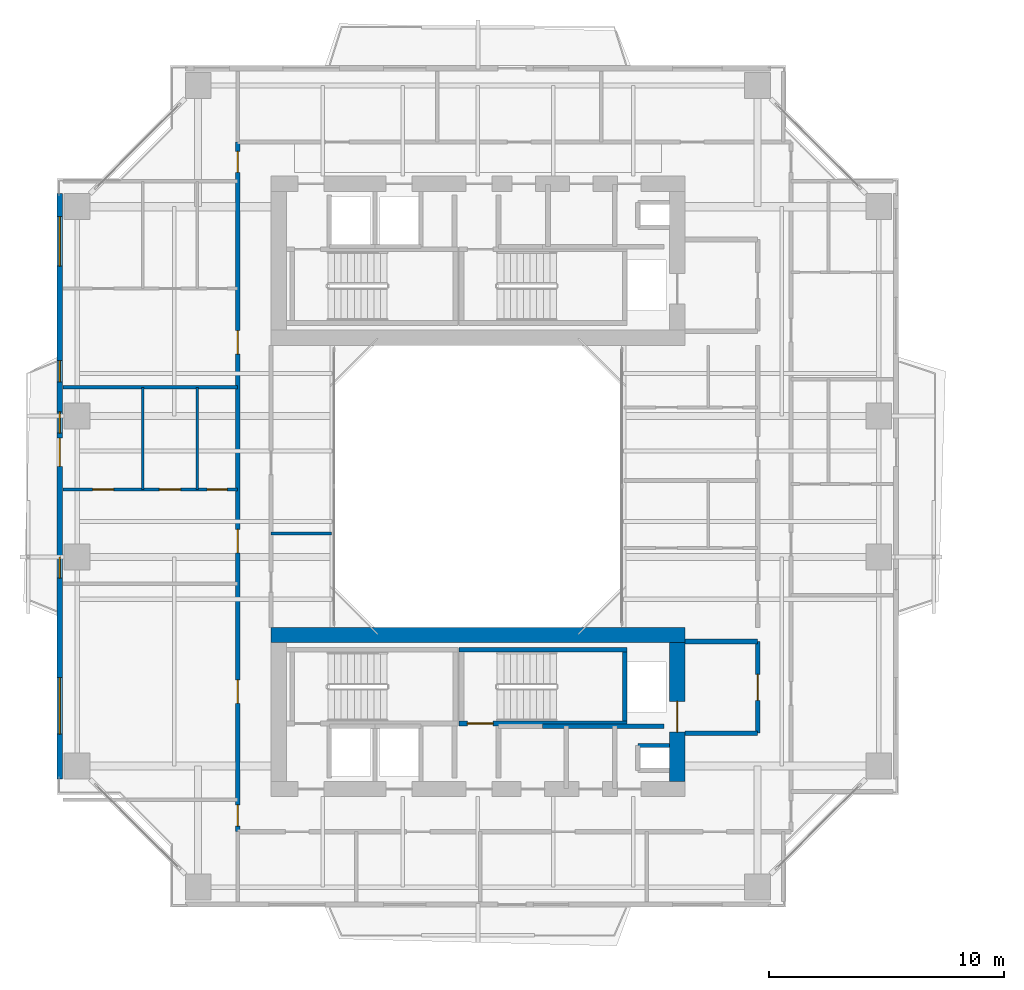
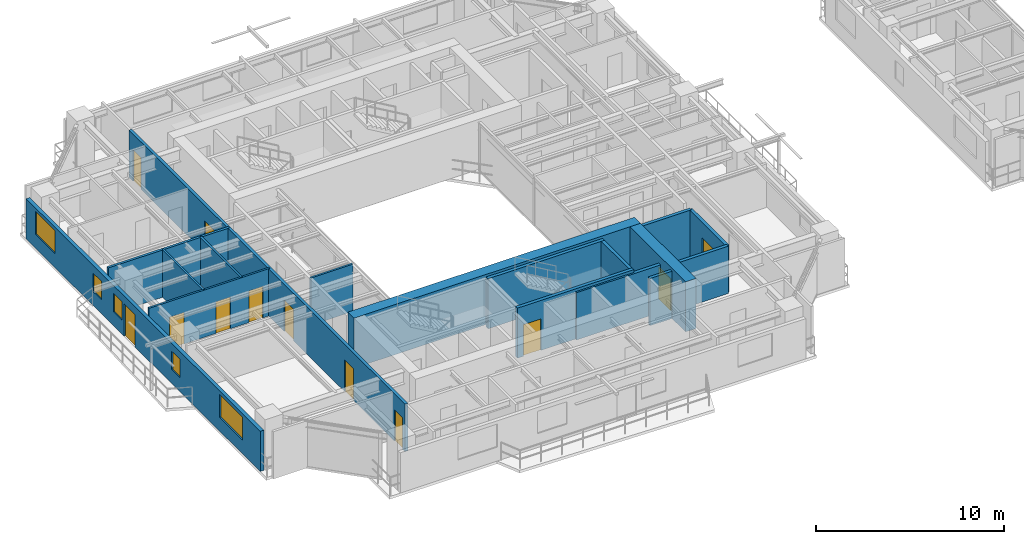
# One storey, part 14 of 24: 17 walls, 12 doors, 5 windows, 17 openings.
"""IFC4 building model written with IfcOpenShell, lengths in metres."""

from ifc_helpers import new_model, si_unit, direction, frame, frame_2d, origin, place, context, subcontext, project, spatial, rectangle, extrude, source, transform, mapped, material, layer, layer_set, type_object, element, fill, save


model = new_model("IFC4")

# Units and contexts
model_context = context("Model", 3, precision=1e-05, world=origin(), true_north=direction((0.0, 1.0)))
body_context = subcontext(model_context, "Body", "Model", "MODEL_VIEW")
ifc_project = project(units=[si_unit("LENGTHUNIT", "METRE"), si_unit("AREAUNIT", "SQUARE_METRE"), si_unit("VOLUMEUNIT", "CUBIC_METRE"), si_unit("PLANEANGLEUNIT", "RADIAN"), si_unit("MASSUNIT", "GRAM", prefix="KILO"), si_unit("THERMODYNAMICTEMPERATUREUNIT", "KELVIN"), si_unit("POWERUNIT", "WATT")], contexts=[model_context])

# Site, building, storey
site_placement = place(None, origin())
site = spatial("IfcSite", under=ifc_project, at=site_placement, CompositionType="ELEMENT")
building_placement = place(site_placement, origin())
building = spatial("IfcBuilding", under=site, at=building_placement, Name="Qiaomeng Ring Towers", CompositionType="ELEMENT")
storey_placement = place(building_placement, frame((0.0, 0.0, 110.0)))
storey = spatial("IfcBuildingStorey", under=building, at=storey_placement, Name="L31", CompositionType="ELEMENT", Elevation=110.0)

# Wall, openings, windows, door
ifc_material_1 = material(Name="Precast concrete C40", Category="concrete")
ifc_layer_1 = layer(ifc_material_1, 0.219970703125, Name="Precast concrete C40")
ifc_layer_set_1 = layer_set([ifc_layer_1], Name="Precast concrete C40")
wall_type_1 = type_object("IfcWallType", Name="ARC-WL-EW2", PredefinedType="STANDARD", material=ifc_layer_set_1)
wall_1_placement = place(storey_placement, frame((1.2099609375, 10.550048828125, 0.0), z_axis=(0.0, 0.0, 1.0), x_axis=(0.0, 1.0, 0.0)))
wall_1 = element("IfcWall", 1, at=wall_1_placement, inside=storey, type_object=wall_type_1, Name="L31 Tower 1 W Exterior Wall", PredefinedType="STANDARD", context=body_context, shape_type="SweptSolid", body=[
    extrude(rectangle(XDim=24.89990234375, YDim=0.219970703125, at=frame_2d((12.449951171875, 0.0))), origin(), (0.0, 0.0, 1.0), 2.610107421875),
])
opening_1_placement = place(wall_1_placement, frame((13.300048828125, 0.0, 0.0)))
opening_1 = element("IfcOpeningElement", 2, at=opening_1_placement, cuts=wall_1, Name="Opening BD1", PredefinedType="OPENING", context=body_context, shape_type="SweptSolid", body=[
    extrude(rectangle(XDim=1.199951171875, YDim=2.10009765625, at=frame_2d((0.60009765625, 1.050048828125))), frame((0.0, 0.119873046875, 0.0), z_axis=(0.0, -1.0, 0.0), x_axis=(1.0, 0.0, 0.0)), (0.0, 0.0, 1.0), 0.239990234375),
])
opening_2_placement = place(wall_1_placement, frame((1.912109375, 0.0, 0.89990234375)))
opening_2 = element("IfcOpeningElement", 3, at=opening_2_placement, cuts=wall_1, Name="Opening WN6", PredefinedType="OPENING", context=body_context, shape_type="SweptSolid", body=[
    extrude(rectangle(XDim=2.39990234375, YDim=1.47998046875, at=frame_2d((1.199951171875, 0.739990234375))), frame((0.0, 0.119873046875, 0.0), z_axis=(0.0, -1.0, 0.0), x_axis=(1.0, 0.0, 0.0)), (0.0, 0.0, 1.0), 0.239990234375),
])
opening_3_placement = place(wall_1_placement, frame((21.820068359375, 0.0, 0.89990234375)))
opening_3 = element("IfcOpeningElement", 4, at=opening_3_placement, cuts=wall_1, Name="Opening WN4", PredefinedType="OPENING", context=body_context, shape_type="SweptSolid", body=[
    extrude(rectangle(XDim=2.10009765625, YDim=1.5, at=frame_2d((1.050048828125, 0.75))), frame((0.0, 0.119873046875, 0.0), z_axis=(0.0, -1.0, 0.0), x_axis=(1.0, 0.0, 0.0)), (0.0, 0.0, 1.0), 0.239990234375),
])
opening_4_placement = place(wall_1_placement, frame((14.719970703125, 0.0, 0.89990234375)))
opening_4 = element("IfcOpeningElement", 5, at=opening_4_placement, cuts=wall_1, Name="Opening WN5", PredefinedType="OPENING", context=body_context, shape_type="SweptSolid", body=[
    extrude(rectangle(XDim=0.89990234375, YDim=1.199951171875, at=frame_2d((0.449951171875, 0.60009765625))), frame((0.0, 0.119873046875, 0.0), z_axis=(0.0, -1.0, 0.0), x_axis=(1.0, 0.0, 0.0)), (0.0, 0.0, 1.0), 0.239990234375),
])
opening_5_placement = place(wall_1_placement, frame((8.544921875, 0.0, 0.89990234375)))
opening_5 = element("IfcOpeningElement", 6, at=opening_5_placement, cuts=wall_1, Name="Opening WN5", PredefinedType="OPENING", context=body_context, shape_type="SweptSolid", body=[
    extrude(rectangle(XDim=0.89990234375, YDim=1.199951171875, at=frame_2d((0.449951171875, 0.60009765625))), frame((0.0, 0.119873046875, 0.0), z_axis=(0.0, -1.0, 0.0), x_axis=(1.0, 0.0, 0.0)), (0.0, 0.0, 1.0), 0.239990234375),
])
opening_6_placement = place(wall_1_placement, frame((16.89501953125, 0.0, 0.89990234375)))
opening_6 = element("IfcOpeningElement", 7, at=opening_6_placement, cuts=wall_1, Name="Opening WN5", PredefinedType="OPENING", context=body_context, shape_type="SweptSolid", body=[
    extrude(rectangle(XDim=0.89990234375, YDim=1.199951171875, at=frame_2d((0.449951171875, 0.60009765625))), frame((0.0, 0.119873046875, 0.0), z_axis=(0.0, -1.0, 0.0), x_axis=(1.0, 0.0, 0.0)), (0.0, 0.0, 1.0), 0.239990234375),
])
ifc_material_2 = material(Name="Low-E dark-grey laminated double glazing", Category="glass")
window_type_1 = type_object("IfcWindowType", Name="ARC-WN-4", PartitioningType="TRIPLE_PANEL_VERTICAL", PredefinedType="WINDOW", material=ifc_material_2)
shared_shape_1 = source(origin(), body_context, "Body", "SweptSolid", [
    extrude(rectangle(XDim=2.10009765625, YDim=1.5, at=frame_2d((1.050048828125, 0.75))), frame((0.0, 0.030029296875, 0.0), z_axis=(0.0, -1.0, 0.0), x_axis=(1.0, 0.0, 0.0)), (0.0, 0.0, 1.0), 0.06005859375),
])
window_1_placement = place(opening_3_placement, origin())
window_1 = element("IfcWindow", 8, at=window_1_placement, inside=storey, type_object=window_type_1, Name="L31 Exterior Window WN4", OverallHeight=1.5, OverallWidth=2.10009765625, PartitioningType="TRIPLE_PANEL_VERTICAL", PredefinedType="WINDOW", context=body_context, shape_type="MappedRepresentation", body=[
    mapped(shared_shape_1, transform((0.0, 0.0, 0.0), x_axis=(1.0, 0.0, 0.0), y_axis=(0.0, 1.0, 0.0), z_axis=(0.0, 0.0, 1.0), scale=1.0)),
])
fill(opening_3, window_1)
window_type_2 = type_object("IfcWindowType", Name="ARC-WN-6", PartitioningType="TRIPLE_PANEL_VERTICAL", PredefinedType="WINDOW", material=ifc_material_2)
shared_shape_2 = source(origin(), body_context, "Body", "SweptSolid", [
    extrude(rectangle(XDim=2.39990234375, YDim=1.47998046875, at=frame_2d((1.199951171875, 0.739990234375))), frame((0.0, 0.030029296875, 0.0), z_axis=(0.0, -1.0, 0.0), x_axis=(1.0, 0.0, 0.0)), (0.0, 0.0, 1.0), 0.06005859375),
])
window_2_placement = place(opening_2_placement, origin())
window_2 = element("IfcWindow", 9, at=window_2_placement, inside=storey, type_object=window_type_2, Name="L31 Exterior Window WN6", OverallHeight=1.47998046875, OverallWidth=2.39990234375, PartitioningType="TRIPLE_PANEL_VERTICAL", PredefinedType="WINDOW", context=body_context, shape_type="MappedRepresentation", body=[
    mapped(shared_shape_2, transform((0.0, 0.0, 0.0), x_axis=(1.0, 0.0, 0.0), y_axis=(0.0, 1.0, 0.0), z_axis=(0.0, 0.0, 1.0), scale=1.0)),
])
fill(opening_2, window_2)
door_type_1 = type_object("IfcDoorType", Name="ARC-DR-BD1", OperationType="NOTDEFINED", PredefinedType="DOOR", material=ifc_material_2)
shared_shape_3 = source(origin(), body_context, "Body", "SweptSolid", [
    extrude(rectangle(XDim=1.199951171875, YDim=2.10009765625, at=frame_2d((0.60009765625, 1.050048828125))), frame((0.0, 0.02490234375, 0.0), z_axis=(0.0, -1.0, 0.0), x_axis=(1.0, 0.0, 0.0)), (0.0, 0.0, 1.0), 0.050048828125),
])
door_1_placement = place(opening_1_placement, frame((1.199951171875, 0.0, 0.0), z_axis=(0.0, 0.0, 1.0), x_axis=(-1.0, 0.0, 0.0)))
door_1 = element("IfcDoor", 10, at=door_1_placement, inside=storey, type_object=door_type_1, Name="L31 W Balcony Glazed Door", OperationType="SINGLE_SWING_LEFT", OverallHeight=2.10009765625, OverallWidth=1.199951171875, PredefinedType="DOOR", context=body_context, shape_type="MappedRepresentation", body=[
    mapped(shared_shape_3, transform((0.0, 0.0, 0.0), x_axis=(1.0, 0.0, 0.0), y_axis=(0.0, 1.0, 0.0), z_axis=(0.0, 0.0, 1.0), scale=1.0)),
])
fill(opening_1, door_1)
window_type_3 = type_object("IfcWindowType", Name="ARC-WN-5", PartitioningType="SINGLE_PANEL", PredefinedType="WINDOW", material=ifc_material_2)
shared_shape_4 = source(origin(), body_context, "Body", "SweptSolid", [
    extrude(rectangle(XDim=0.89990234375, YDim=1.199951171875, at=frame_2d((0.449951171875, 0.60009765625))), frame((0.0, 0.030029296875, 0.0), z_axis=(0.0, -1.0, 0.0), x_axis=(1.0, 0.0, 0.0)), (0.0, 0.0, 1.0), 0.06005859375),
])
window_3_placement = place(opening_4_placement, origin())
window_3 = element("IfcWindow", 11, at=window_3_placement, inside=storey, type_object=window_type_3, Name="L31 Exterior Window WN5", OverallHeight=1.199951171875, OverallWidth=0.89990234375, PartitioningType="SINGLE_PANEL", PredefinedType="WINDOW", context=body_context, shape_type="MappedRepresentation", body=[
    mapped(shared_shape_4, transform((0.0, 0.0, 0.0), x_axis=(1.0, 0.0, 0.0), y_axis=(0.0, 1.0, 0.0), z_axis=(0.0, 0.0, 1.0), scale=1.0)),
])
fill(opening_4, window_3)
window_4_placement = place(opening_5_placement, origin())
window_4 = element("IfcWindow", 12, at=window_4_placement, inside=storey, type_object=window_type_3, Name="L31 Exterior Window WN5", OverallHeight=1.199951171875, OverallWidth=0.89990234375, PartitioningType="SINGLE_PANEL", PredefinedType="WINDOW", context=body_context, shape_type="MappedRepresentation", body=[
    mapped(shared_shape_4, transform((0.0, 0.0, 0.0), x_axis=(1.0, 0.0, 0.0), y_axis=(0.0, 1.0, 0.0), z_axis=(0.0, 0.0, 1.0), scale=1.0)),
])
fill(opening_5, window_4)
window_5_placement = place(opening_6_placement, origin())
window_5 = element("IfcWindow", 13, at=window_5_placement, inside=storey, type_object=window_type_3, Name="L31 Exterior Window WN5", OverallHeight=1.199951171875, OverallWidth=0.89990234375, PartitioningType="SINGLE_PANEL", PredefinedType="WINDOW", context=body_context, shape_type="MappedRepresentation", body=[
    mapped(shared_shape_4, transform((0.0, 0.0, 0.0), x_axis=(1.0, 0.0, 0.0), y_axis=(0.0, 1.0, 0.0), z_axis=(0.0, 0.0, 1.0), scale=1.0)),
])
fill(opening_6, window_5)

# Walls
ifc_material_3 = material(Name="Autoclaved aerated concrete block", Category="concrete")
ifc_layer_2 = layer(ifc_material_3, 0.199951171875, Name="Autoclaved aerated concrete block")
ifc_layer_set_2 = layer_set([ifc_layer_2], Name="Autoclaved aerated concrete block")
wall_type_2 = type_object("IfcWallType", Name="ARC-WL-PW1", PredefinedType="PARTITIONING", material=ifc_layer_set_2)
for number, where, z_axis, x_axis, name in (
    (14, (27.800048828125, 16.39990234375, 0.0), (0.0, 0.0, 1.0), (1.0, 0.0, 0.0), "L31 Interior Wall PW1"),
    (15, (27.800048828125, 12.5, 0.0), (0.0, 0.0, 1.0), (1.0, 0.0, 0.0), "L31 Interior Wall PW1"),
):
    element("IfcWall", number, at=place(storey_placement, frame(where, z_axis=z_axis, x_axis=x_axis)), inside=storey, type_object=wall_type_2, Name=name, PredefinedType="PARTITIONING", context=body_context, shape_type="SweptSolid", body=[
        extrude(rectangle(XDim=3.099853515625, YDim=0.199951171875, at=frame_2d((1.5498046875, 0.0))), origin(), (0.0, 0.0, 1.0), 3.070068359375),
    ])

# Wall, opening, door
wall_2_placement = place(storey_placement, frame((30.89990234375, 12.5, 0.0), z_axis=(0.0, 0.0, 1.0), x_axis=(0.0, 1.0, 0.0)))
wall_2 = element("IfcWall", 16, at=wall_2_placement, inside=storey, type_object=wall_type_2, Name="L31 Interior Wall PW1", PredefinedType="PARTITIONING", context=body_context, shape_type="SweptSolid", body=[
    extrude(rectangle(XDim=3.89990234375, YDim=0.199951171875, at=frame_2d((1.949951171875, 0.0))), origin(), (0.0, 0.0, 1.0), 3.070068359375),
])
opening_7_placement = place(wall_2_placement, frame((1.39990234375, 0.0, 0.0)))
opening_7 = element("IfcOpeningElement", 17, at=opening_7_placement, cuts=wall_2, Name="Opening FD3", PredefinedType="OPENING", context=body_context, shape_type="SweptSolid", body=[
    extrude(rectangle(XDim=1.10009765625, YDim=2.050048828125, at=frame_2d((0.550048828125, 1.02490234375))), frame((0.0, 0.10986328125, 0.0), z_axis=(0.0, -1.0, 0.0), x_axis=(1.0, 0.0, 0.0)), (0.0, 0.0, 1.0), 0.219970703125),
])
ifc_material_4 = material(Name="Galvanised steel", Category="steel")
door_type_2 = type_object("IfcDoorType", Name="ARC-DR-FD3", OperationType="NOTDEFINED", PredefinedType="DOOR", material=ifc_material_4)
shared_shape_5 = source(origin(), body_context, "Body", "SweptSolid", [
    extrude(rectangle(XDim=1.10009765625, YDim=2.050048828125, at=frame_2d((0.550048828125, 1.02490234375))), frame((0.0, 0.02490234375, 0.0), z_axis=(0.0, -1.0, 0.0), x_axis=(1.0, 0.0, 0.0)), (0.0, 0.0, 1.0), 0.050048828125),
])
door_2_placement = place(opening_7_placement, origin())
door_2 = element("IfcDoor", 18, at=door_2_placement, inside=storey, type_object=door_type_2, Name="L31 South FF Lobby Door", OperationType="SINGLE_SWING_RIGHT", OverallHeight=2.050048828125, OverallWidth=1.10009765625, PredefinedType="DOOR", context=body_context, shape_type="MappedRepresentation", body=[
    mapped(shared_shape_5, transform((0.0, 0.0, 0.0), x_axis=(1.0, 0.0, 0.0), y_axis=(0.0, 1.0, 0.0), z_axis=(0.0, 0.0, 1.0), scale=1.0)),
])
fill(opening_7, door_2)

# Wall
wall_3_placement = place(storey_placement, frame((21.75, 12.800048828125, 0.0), z_axis=(0.0, 0.0, 1.0), x_axis=(1.0, 0.0, 0.0)))
element("IfcWall", 19, at=wall_3_placement, inside=storey, type_object=wall_type_2, Name="L31 Interior Wall PW1", PredefinedType="PARTITIONING", context=body_context, shape_type="SweptSolid", body=[
    extrude(rectangle(XDim=5.169921875, YDim=0.199951171875, at=frame_2d((2.5849609375, 0.0))), origin(), (0.0, 0.0, 1.0), 3.070068359375),
])

# Wall, openings, doors
ifc_layer_3 = layer(ifc_material_3, 0.179931640625, Name="Autoclaved aerated concrete block")
ifc_layer_set_3 = layer_set([ifc_layer_3], Name="Autoclaved aerated concrete block")
wall_type_3 = type_object("IfcWallType", Name="ARC-WL-PW2", PredefinedType="PARTITIONING", material=ifc_layer_set_3)
wall_4_placement = place(storey_placement, frame((8.780029296875, 8.31005859375, 0.0), z_axis=(0.0, 0.0, 1.0), x_axis=(0.0, 1.0, 0.0)))
wall_4 = element("IfcWall", 20, at=wall_4_placement, inside=storey, type_object=wall_type_3, Name="L31 Interior Wall PW2", PredefinedType="PARTITIONING", context=body_context, shape_type="SweptSolid", body=[
    extrude(rectangle(XDim=29.33984375, YDim=0.179931640625, at=frame_2d((14.669921875, 0.0))), origin(), (0.0, 0.0, 1.0), 3.070068359375),
])
opening_8_placement = place(wall_4_placement, frame((28.044921875, 0.0, 0.0)))
opening_8 = element("IfcOpeningElement", 21, at=opening_8_placement, cuts=wall_4, Name="Opening ID1", PredefinedType="OPENING", context=body_context, shape_type="SweptSolid", body=[
    extrude(rectangle(XDim=0.89990234375, YDim=2.050048828125, at=frame_2d((0.449951171875, 1.02490234375))), frame((0.0, 0.099853515625, 0.0), z_axis=(0.0, -1.0, 0.0), x_axis=(1.0, 0.0, 0.0)), (0.0, 0.0, 1.0), 0.199951171875),
])
opening_9_placement = place(wall_4_placement, frame((0.239990234375, 0.0, 0.0)))
opening_9 = element("IfcOpeningElement", 22, at=opening_9_placement, cuts=wall_4, Name="Opening ID1", PredefinedType="OPENING", context=body_context, shape_type="SweptSolid", body=[
    extrude(rectangle(XDim=0.89990234375, YDim=2.050048828125, at=frame_2d((0.449951171875, 1.02490234375))), frame((0.0, 0.099853515625, 0.0), z_axis=(0.0, -1.0, 0.0), x_axis=(1.0, 0.0, 0.0)), (0.0, 0.0, 1.0), 0.199951171875),
])
opening_10_placement = place(wall_4_placement, frame((5.455078125, 0.0, 0.0)))
opening_10 = element("IfcOpeningElement", 23, at=opening_10_placement, cuts=wall_4, Name="Opening FD4", PredefinedType="OPENING", context=body_context, shape_type="SweptSolid", body=[
    extrude(rectangle(XDim=1.0, YDim=2.050048828125, at=frame_2d((0.5, 1.02490234375))), frame((0.0, 0.099853515625, 0.0), z_axis=(0.0, -1.0, 0.0), x_axis=(1.0, 0.0, 0.0)), (0.0, 0.0, 1.0), 0.199951171875),
])
opening_11_placement = place(wall_4_placement, frame((11.864990234375, 0.0, 0.0)))
opening_11 = element("IfcOpeningElement", 24, at=opening_11_placement, cuts=wall_4, Name="Opening FD4", PredefinedType="OPENING", context=body_context, shape_type="SweptSolid", body=[
    extrude(rectangle(XDim=1.0, YDim=2.050048828125, at=frame_2d((0.5, 1.02490234375))), frame((0.0, 0.099853515625, 0.0), z_axis=(0.0, -1.0, 0.0), x_axis=(1.0, 0.0, 0.0)), (0.0, 0.0, 1.0), 0.199951171875),
])
opening_12_placement = place(wall_4_placement, frame((20.31494140625, 0.0, 0.0)))
opening_12 = element("IfcOpeningElement", 25, at=opening_12_placement, cuts=wall_4, Name="Opening FD4", PredefinedType="OPENING", context=body_context, shape_type="SweptSolid", body=[
    extrude(rectangle(XDim=1.0, YDim=2.050048828125, at=frame_2d((0.5, 1.02490234375))), frame((0.0, 0.099853515625, 0.0), z_axis=(0.0, -1.0, 0.0), x_axis=(1.0, 0.0, 0.0)), (0.0, 0.0, 1.0), 0.199951171875),
])
ifc_material_5 = material(Name="Engineered fire-rated oak timber", Category="wood")
door_type_3 = type_object("IfcDoorType", Name="ARC-DR-FD4", OperationType="NOTDEFINED", PredefinedType="DOOR", material=ifc_material_5)
shared_shape_6 = source(origin(), body_context, "Body", "SweptSolid", [
    extrude(rectangle(XDim=1.0, YDim=2.050048828125, at=frame_2d((0.5, 1.02490234375))), frame((0.0, 0.02490234375, 0.0), z_axis=(0.0, -1.0, 0.0), x_axis=(1.0, 0.0, 0.0)), (0.0, 0.0, 1.0), 0.050048828125),
])
door_3_placement = place(opening_10_placement, origin())
door_3 = element("IfcDoor", 26, at=door_3_placement, inside=storey, type_object=door_type_3, Name="L31 Door FD4", OperationType="SINGLE_SWING_RIGHT", OverallHeight=2.050048828125, OverallWidth=1.0, PredefinedType="DOOR", context=body_context, shape_type="MappedRepresentation", body=[
    mapped(shared_shape_6, transform((0.0, 0.0, 0.0), x_axis=(1.0, 0.0, 0.0), y_axis=(0.0, 1.0, 0.0), z_axis=(0.0, 0.0, 1.0), scale=1.0)),
])
fill(opening_10, door_3)
door_4_placement = place(opening_11_placement, origin())
door_4 = element("IfcDoor", 27, at=door_4_placement, inside=storey, type_object=door_type_3, Name="L31 Door FD4", OperationType="SINGLE_SWING_RIGHT", OverallHeight=2.050048828125, OverallWidth=1.0, PredefinedType="DOOR", context=body_context, shape_type="MappedRepresentation", body=[
    mapped(shared_shape_6, transform((0.0, 0.0, 0.0), x_axis=(1.0, 0.0, 0.0), y_axis=(0.0, 1.0, 0.0), z_axis=(0.0, 0.0, 1.0), scale=1.0)),
])
fill(opening_11, door_4)
door_5_placement = place(opening_12_placement, origin())
door_5 = element("IfcDoor", 28, at=door_5_placement, inside=storey, type_object=door_type_3, Name="L31 Door FD4", OperationType="SINGLE_SWING_RIGHT", OverallHeight=2.050048828125, OverallWidth=1.0, PredefinedType="DOOR", context=body_context, shape_type="MappedRepresentation", body=[
    mapped(shared_shape_6, transform((0.0, 0.0, 0.0), x_axis=(1.0, 0.0, 0.0), y_axis=(0.0, 1.0, 0.0), z_axis=(0.0, 0.0, 1.0), scale=1.0)),
])
fill(opening_12, door_5)
ifc_material_6 = material(Name="Engineered oak timber", Category="wood")
door_type_4 = type_object("IfcDoorType", Name="ARC-DR-ID1", OperationType="NOTDEFINED", PredefinedType="DOOR", material=ifc_material_6)
shared_shape_7 = source(origin(), body_context, "Body", "SweptSolid", [
    extrude(rectangle(XDim=0.89990234375, YDim=2.050048828125, at=frame_2d((0.449951171875, 1.02490234375))), frame((0.0, 0.02490234375, 0.0), z_axis=(0.0, -1.0, 0.0), x_axis=(1.0, 0.0, 0.0)), (0.0, 0.0, 1.0), 0.050048828125),
])
door_6_placement = place(opening_8_placement, origin())
door_6 = element("IfcDoor", 29, at=door_6_placement, inside=storey, type_object=door_type_4, Name="L31 Door ID1", OperationType="SINGLE_SWING_RIGHT", OverallHeight=2.050048828125, OverallWidth=0.89990234375, PredefinedType="DOOR", context=body_context, shape_type="MappedRepresentation", body=[
    mapped(shared_shape_7, transform((0.0, 0.0, 0.0), x_axis=(1.0, 0.0, 0.0), y_axis=(0.0, 1.0, 0.0), z_axis=(0.0, 0.0, 1.0), scale=1.0)),
])
fill(opening_8, door_6)
door_7_placement = place(opening_9_placement, origin())
door_7 = element("IfcDoor", 30, at=door_7_placement, inside=storey, type_object=door_type_4, Name="L31 Door ID1", OperationType="SINGLE_SWING_LEFT", OverallHeight=2.050048828125, OverallWidth=0.89990234375, PredefinedType="DOOR", context=body_context, shape_type="MappedRepresentation", body=[
    mapped(shared_shape_7, transform((0.0, 0.0, 0.0), x_axis=(1.0, 0.0, 0.0), y_axis=(0.0, 1.0, 0.0), z_axis=(0.0, 0.0, 1.0), scale=1.0)),
])
fill(opening_9, door_7)

# Wall
ifc_material_7 = material(Name="Gypsum fireboard steel-stud partition", Category="steel")
ifc_layer_4 = layer(ifc_material_7, 0.14990234375, Name="Gypsum fireboard steel-stud partition")
ifc_layer_set_4 = layer_set([ifc_layer_4], Name="Gypsum fireboard steel-stud partition")
wall_type_4 = type_object("IfcWallType", Name="ARC-WL-PW3", PredefinedType="PARTITIONING", material=ifc_layer_set_4)
wall_5_placement = place(storey_placement, frame((1.35009765625, 27.2099609375, 0.0), z_axis=(0.0, 0.0, 1.0), x_axis=(1.0, 0.0, 0.0)))
element("IfcWall", 31, at=wall_5_placement, inside=storey, type_object=wall_type_4, Name="L31 Interior Wall PW3", PredefinedType="PARTITIONING", context=body_context, shape_type="SweptSolid", body=[
    extrude(rectangle(XDim=7.429931640625, YDim=0.14990234375, at=frame_2d((3.71484375, 0.0))), origin(), (0.0, 0.0, 1.0), 3.070068359375),
])

# Wall, openings, doors
ifc_material_8 = material(Name="Moisture-resistant gypsum steel-stud partition", Category="steel")
ifc_layer_5 = layer(ifc_material_8, 0.1201171875, Name="Moisture-resistant gypsum steel-stud partition")
ifc_layer_set_5 = layer_set([ifc_layer_5], Name="Moisture-resistant gypsum steel-stud partition")
wall_type_5 = type_object("IfcWallType", Name="ARC-WL-PW4", PredefinedType="PLUMBINGWALL", material=ifc_layer_set_5)
wall_6_placement = place(storey_placement, frame((1.35009765625, 22.8701171875, 0.0), z_axis=(0.0, 0.0, 1.0), x_axis=(1.0, 0.0, 0.0)))
wall_6 = element("IfcWall", 32, at=wall_6_placement, inside=storey, type_object=wall_type_5, Name="L31 Interior Wall PW4", PredefinedType="PLUMBINGWALL", context=body_context, shape_type="SweptSolid", body=[
    extrude(rectangle(XDim=7.429931640625, YDim=0.1201171875, at=frame_2d((3.71484375, 0.0))), origin(), (0.0, 0.0, 1.0), 3.070068359375),
])
opening_13_placement = place(wall_6_placement, frame((1.2548828125, 0.0, 0.0)))
opening_13 = element("IfcOpeningElement", 33, at=opening_13_placement, cuts=wall_6, Name="Opening ID1", PredefinedType="OPENING", context=body_context, shape_type="SweptSolid", body=[
    extrude(rectangle(XDim=0.89990234375, YDim=2.050048828125, at=frame_2d((0.449951171875, 1.02490234375))), frame((0.0, 0.070068359375, 0.0), z_axis=(0.0, -1.0, 0.0), x_axis=(1.0, 0.0, 0.0)), (0.0, 0.0, 1.0), 0.14013671875),
])
opening_14_placement = place(wall_6_placement, frame((4.10009765625, 0.0, 0.0)))
opening_14 = element("IfcOpeningElement", 34, at=opening_14_placement, cuts=wall_6, Name="Opening ID1", PredefinedType="OPENING", context=body_context, shape_type="SweptSolid", body=[
    extrude(rectangle(XDim=0.89990234375, YDim=2.050048828125, at=frame_2d((0.449951171875, 1.02490234375))), frame((0.0, 0.070068359375, 0.0), z_axis=(0.0, -1.0, 0.0), x_axis=(1.0, 0.0, 0.0)), (0.0, 0.0, 1.0), 0.14013671875),
])
opening_15_placement = place(wall_6_placement, frame((6.135009765625, 0.0, 0.0)))
opening_15 = element("IfcOpeningElement", 35, at=opening_15_placement, cuts=wall_6, Name="Opening ID2", PredefinedType="OPENING", context=body_context, shape_type="SweptSolid", body=[
    extrude(rectangle(XDim=0.85009765625, YDim=2.050048828125, at=frame_2d((0.425048828125, 1.02490234375))), frame((0.0, 0.070068359375, 0.0), z_axis=(0.0, -1.0, 0.0), x_axis=(1.0, 0.0, 0.0)), (0.0, 0.0, 1.0), 0.14013671875),
])
ifc_material_9 = material(Name="Moisture-resistant engineered timber", Category="wood")
door_type_5 = type_object("IfcDoorType", Name="ARC-DR-ID2", OperationType="NOTDEFINED", PredefinedType="DOOR", material=ifc_material_9)
shared_shape_8 = source(origin(), body_context, "Body", "SweptSolid", [
    extrude(rectangle(XDim=0.85009765625, YDim=2.050048828125, at=frame_2d((0.425048828125, 1.02490234375))), frame((0.0, 0.02490234375, 0.0), z_axis=(0.0, -1.0, 0.0), x_axis=(1.0, 0.0, 0.0)), (0.0, 0.0, 1.0), 0.050048828125),
])
door_8_placement = place(opening_15_placement, origin())
door_8 = element("IfcDoor", 36, at=door_8_placement, inside=storey, type_object=door_type_5, Name="L31 Door ID2", OperationType="SINGLE_SWING_LEFT", OverallHeight=2.050048828125, OverallWidth=0.85009765625, PredefinedType="DOOR", context=body_context, shape_type="MappedRepresentation", body=[
    mapped(shared_shape_8, transform((0.0, 0.0, 0.0), x_axis=(1.0, 0.0, 0.0), y_axis=(0.0, 1.0, 0.0), z_axis=(0.0, 0.0, 1.0), scale=1.0)),
])
fill(opening_15, door_8)
door_9_placement = place(opening_13_placement, origin())
door_9 = element("IfcDoor", 37, at=door_9_placement, inside=storey, type_object=door_type_4, Name="L31 Door ID1", OperationType="SINGLE_SWING_LEFT", OverallHeight=2.050048828125, OverallWidth=0.89990234375, PredefinedType="DOOR", context=body_context, shape_type="MappedRepresentation", body=[
    mapped(shared_shape_7, transform((0.0, 0.0, 0.0), x_axis=(1.0, 0.0, 0.0), y_axis=(0.0, 1.0, 0.0), z_axis=(0.0, 0.0, 1.0), scale=1.0)),
])
fill(opening_13, door_9)
door_10_placement = place(opening_14_placement, origin())
door_10 = element("IfcDoor", 38, at=door_10_placement, inside=storey, type_object=door_type_4, Name="L31 Door ID1", OperationType="SINGLE_SWING_RIGHT", OverallHeight=2.050048828125, OverallWidth=0.89990234375, PredefinedType="DOOR", context=body_context, shape_type="MappedRepresentation", body=[
    mapped(shared_shape_7, transform((0.0, 0.0, 0.0), x_axis=(1.0, 0.0, 0.0), y_axis=(0.0, 1.0, 0.0), z_axis=(0.0, 0.0, 1.0), scale=1.0)),
])
fill(opening_14, door_10)

# Walls
for number, where, z_axis, x_axis, name in (
    (39, (4.739990234375, 22.8701171875, 0.0), (0.0, 0.0, 1.0), (0.0, 1.0, 0.0), "L31 Interior Wall PW4"),
    (40, (7.06005859375, 22.8701171875, 0.0), (0.0, 0.0, 1.0), (0.0, 1.0, 0.0), "L31 Interior Wall PW4"),
):
    element("IfcWall", number, at=place(storey_placement, frame(where, z_axis=z_axis, x_axis=x_axis)), inside=storey, type_object=wall_type_5, Name=name, PredefinedType="PLUMBINGWALL", context=body_context, shape_type="SweptSolid", body=[
        extrude(rectangle(XDim=4.33984375, YDim=0.1201171875, at=frame_2d((2.169921875, 0.0))), origin(), (0.0, 0.0, 1.0), 3.070068359375),
    ])
wall_7_placement = place(storey_placement, frame((10.199951171875, 21.0, 0.0), z_axis=(0.0, 0.0, 1.0), x_axis=(1.0, 0.0, 0.0)))
element("IfcWall", 41, at=wall_7_placement, inside=storey, type_object=wall_type_5, Name="L31 Interior Wall PW4", PredefinedType="PLUMBINGWALL", context=body_context, shape_type="SweptSolid", body=[
    extrude(rectangle(XDim=2.580078125, YDim=0.1201171875, at=frame_2d((1.2900390625, 0.0))), origin(), (0.0, 0.0, 1.0), 3.070068359375),
])
ifc_material_10 = material(Name="Concrete C40", Category="concrete")
ifc_layer_6 = layer(ifc_material_10, 0.199951171875, Name="Concrete C40")
ifc_layer_set_6 = layer_set([ifc_layer_6], Name="Concrete C40")
wall_type_6 = type_object("IfcWallType", Name="STR-WL-STSHAFT", PredefinedType="SHEAR", material=ifc_layer_set_6)
wall_8_placement = place(storey_placement, frame((25.800048828125, 11.97998046875, 0.0), z_axis=(0.0, 0.0, 1.0), x_axis=(1.0, 0.0, 0.0)))
element("IfcWall", 42, at=wall_8_placement, inside=storey, type_object=wall_type_6, Name="L31 Riser RSR1 North Shaft Wall S", PredefinedType="SHEAR", context=body_context, shape_type="SweptSolid", body=[
    extrude(rectangle(XDim=1.349853515625, YDim=0.179931640625, at=frame_2d((0.6748046875, 0.0))), origin(), (0.0, 0.0, 1.0), 3.070068359375),
])

# Wall, opening, door
wall_9_placement = place(storey_placement, frame((18.199951171875, 12.909912109375, 0.0), z_axis=(0.0, 0.0, 1.0), x_axis=(1.0, 0.0, 0.0)))
wall_9 = element("IfcWall", 43, at=wall_9_placement, inside=storey, type_object=wall_type_6, Name="L31 Stair ST4 South Shaft Shear Wall", PredefinedType="SHEAR", context=body_context, shape_type="SweptSolid", body=[
    extrude(rectangle(XDim=7.150146484375, YDim=0.199951171875, at=frame_2d((3.5751953125, 0.0))), origin(), (0.0, 0.0, 1.0), 3.25),
])
opening_16_placement = place(wall_9_placement, frame((0.35009765625, 0.0, 0.0)))
opening_16 = element("IfcOpeningElement", 44, at=opening_16_placement, cuts=wall_9, Name="Opening FD3", PredefinedType="OPENING", context=body_context, shape_type="SweptSolid", body=[
    extrude(rectangle(XDim=1.10009765625, YDim=2.050048828125, at=frame_2d((0.550048828125, 1.02490234375))), frame((0.0, 0.10986328125, 0.0), z_axis=(0.0, -1.0, 0.0), x_axis=(1.0, 0.0, 0.0)), (0.0, 0.0, 1.0), 0.219970703125),
])
door_11_placement = place(opening_16_placement, frame((1.10009765625, 0.0, 0.0), z_axis=(0.0, 0.0, 1.0), x_axis=(-1.0, 0.0, 0.0)))
door_11 = element("IfcDoor", 45, at=door_11_placement, inside=storey, type_object=door_type_2, Name="L31 Stair ST4 Exit Door", OperationType="SINGLE_SWING_RIGHT", OverallHeight=2.050048828125, OverallWidth=1.10009765625, PredefinedType="DOOR", context=body_context, shape_type="MappedRepresentation", body=[
    mapped(shared_shape_5, transform((0.0, 0.0, 0.0), x_axis=(1.0, 0.0, 0.0), y_axis=(0.0, 1.0, 0.0), z_axis=(0.0, 0.0, 1.0), scale=1.0)),
])
fill(opening_16, door_11)

# Walls
wall_10_placement = place(storey_placement, frame((18.199951171875, 16.050048828125, 0.0), z_axis=(0.0, 0.0, 1.0), x_axis=(1.0, 0.0, 0.0)))
element("IfcWall", 46, at=wall_10_placement, inside=storey, type_object=wall_type_6, Name="L31 Stair ST4 North Shaft Shear Wall", PredefinedType="SHEAR", context=body_context, shape_type="SweptSolid", body=[
    extrude(rectangle(XDim=7.150146484375, YDim=0.199951171875, at=frame_2d((3.5751953125, 0.0))), origin(), (0.0, 0.0, 1.0), 3.25),
])
wall_11_placement = place(storey_placement, frame((25.25, 13.010009765625, 0.0), z_axis=(0.0, 0.0, 1.0), x_axis=(0.0, 1.0, 0.0)))
element("IfcWall", 47, at=wall_11_placement, inside=storey, type_object=wall_type_6, Name="L31 Stair ST4 East Shaft Shear Wall", PredefinedType="SHEAR", context=body_context, shape_type="SweptSolid", body=[
    extrude(rectangle(XDim=2.93994140625, YDim=0.199951171875, at=frame_2d((1.469970703125, 0.0))), origin(), (0.0, 0.0, 1.0), 3.25),
])
ifc_material_11 = material(Name="Concrete C55", Category="concrete")
ifc_layer_7 = layer(ifc_material_11, 0.64990234375, Name="Concrete C55")
ifc_layer_set_7 = layer_set([ifc_layer_7], Name="Concrete C55")
wall_type_7 = type_object("IfcWallType", Name="STR-WL-SW2A", PredefinedType="SHEAR", material=ifc_layer_set_7)
wall_12_placement = place(storey_placement, frame((10.199951171875, 16.675048828125, 0.0), z_axis=(0.0, 0.0, 1.0), x_axis=(1.0, 0.0, 0.0)))
element("IfcWall", 48, at=wall_12_placement, inside=storey, type_object=wall_type_7, Name="L31 T1SC north core shear wall", PredefinedType="SHEAR", context=body_context, shape_type="SweptSolid", body=[
    extrude(rectangle(XDim=17.60009765625, YDim=0.64990234375, at=frame_2d((8.800048828125, 0.0))), origin(), (0.0, 0.0, 1.0), 3.25),
])

# Wall, opening, door
wall_13_placement = place(storey_placement, frame((27.47509765625, 10.449951171875, 0.0), z_axis=(0.0, 0.0, 1.0), x_axis=(0.0, 1.0, 0.0)))
wall_13 = element("IfcWall", 49, at=wall_13_placement, inside=storey, type_object=wall_type_7, Name="L31 T1SC east core shear wall", PredefinedType="SHEAR", context=body_context, shape_type="SweptSolid", body=[
    extrude(rectangle(XDim=5.900146484375, YDim=0.64990234375, at=frame_2d((2.9501953125, 0.0))), origin(), (0.0, 0.0, 1.0), 3.25),
])
opening_17_placement = place(wall_13_placement, frame((2.10009765625, 0.0, 0.0)))
opening_17 = element("IfcOpeningElement", 50, at=opening_17_placement, cuts=wall_13, Name="Opening LD2", PredefinedType="OPENING", context=body_context, shape_type="SweptSolid", body=[
    extrude(rectangle(XDim=1.300048828125, YDim=2.050048828125, at=frame_2d((0.64990234375, 1.02490234375))), frame((0.0, 0.3349609375, 0.0), z_axis=(0.0, -1.0, 0.0), x_axis=(1.0, 0.0, 0.0)), (0.0, 0.0, 1.0), 0.669921875),
])
ifc_material_12 = material(Name="Stainless steel 316", Category="steel")
door_type_6 = type_object("IfcDoorType", Name="ARC-DR-LD2", OperationType="NOTDEFINED", PredefinedType="DOOR", material=ifc_material_12)
shared_shape_9 = source(origin(), body_context, "Body", "SweptSolid", [
    extrude(rectangle(XDim=1.300048828125, YDim=2.050048828125, at=frame_2d((0.64990234375, 1.02490234375))), frame((0.0, 0.02490234375, 0.0), z_axis=(0.0, -1.0, 0.0), x_axis=(1.0, 0.0, 0.0)), (0.0, 0.0, 1.0), 0.050048828125),
])
door_12_placement = place(opening_17_placement, origin())
door_12 = element("IfcDoor", 51, at=door_12_placement, inside=storey, type_object=door_type_6, Name="L31 Firefighting Lift FL2 Landing Door", OperationType="SLIDING_TO_RIGHT", OverallHeight=2.050048828125, OverallWidth=1.300048828125, PredefinedType="DOOR", context=body_context, shape_type="MappedRepresentation", body=[
    mapped(shared_shape_9, transform((0.0, 0.0, 0.0), x_axis=(1.0, 0.0, 0.0), y_axis=(0.0, 1.0, 0.0), z_axis=(0.0, 0.0, 1.0), scale=1.0)),
])
fill(opening_17, door_12)

save(model, "model.ifc")
